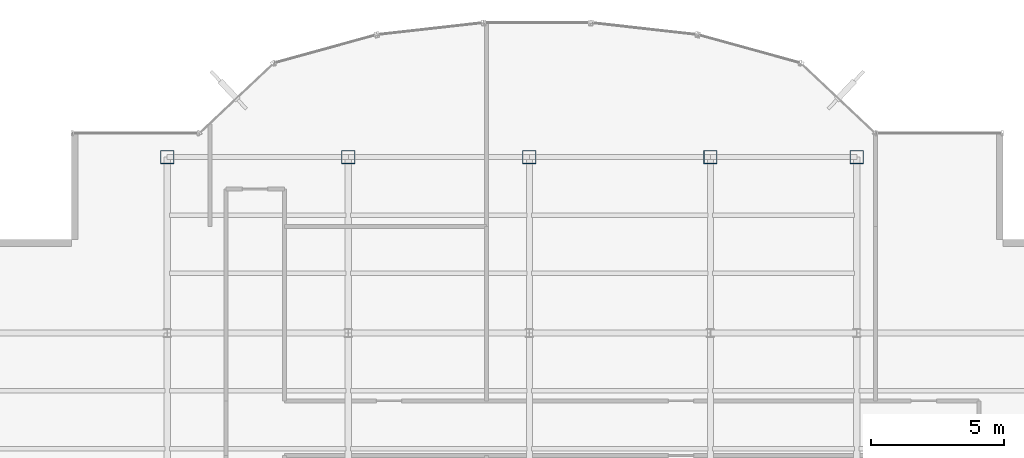
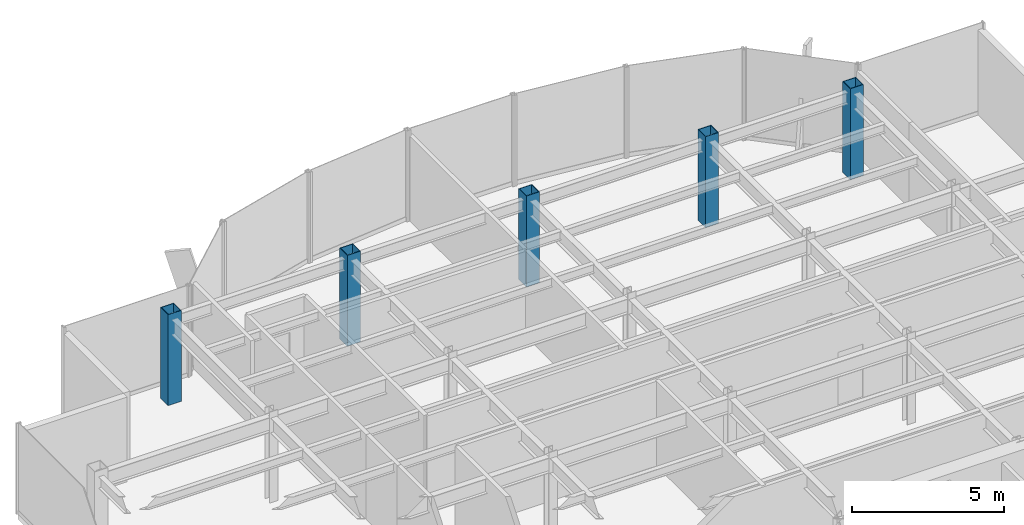
# One storey, part 2 of 22: 5 columns.
"""IFC4 building model written with IfcOpenShell, lengths in metres."""

from ifc_helpers import new_model, si_unit, derived_unit, direction, frame, origin, origin_2d, place, context, subcontext, project, spatial, hollow_rectangle, extrude, source, transform, mapped, material, material_profile, profile_set, type_object, element, save


model = new_model("IFC4")

# Units and contexts
model_context = context("Model", 3, precision=1e-05, world=origin(), true_north=direction((0.0, 1.0)))
body_context = subcontext(model_context, "Body", "Model", "MODEL_VIEW")
ifc_project = project(units=[si_unit("LENGTHUNIT", "METRE"), si_unit("AREAUNIT", "SQUARE_METRE"), si_unit("VOLUMEUNIT", "CUBIC_METRE"), si_unit("PLANEANGLEUNIT", "RADIAN"), si_unit("MASSUNIT", "GRAM", prefix="KILO"), derived_unit("THERMALTRANSMITTANCEUNIT", [(si_unit("POWERUNIT", "WATT"), 1), (si_unit("LENGTHUNIT", "METRE"), -2), (si_unit("THERMODYNAMICTEMPERATUREUNIT", "KELVIN"), -1)])], contexts=[model_context])

# Site, building, storey
site_placement = place(None, origin())
site = spatial("IfcSite", under=ifc_project, at=site_placement, CompositionType="ELEMENT")
building_placement = place(site_placement, origin())
building = spatial("IfcBuilding", under=site, at=building_placement, Name="Skarnbrae Concourse Arena and Tower", CompositionType="ELEMENT")
storey_placement = place(building_placement, frame((0.0, 0.0, 210.5)))
storey = spatial("IfcBuildingStorey", under=building, at=storey_placement, Name="L54", CompositionType="ELEMENT", Elevation=210.5)

# Columns
ifc_material = material(Name="Steel CSA G40.21 350W", Category="steel")
ifc_material_profile = material_profile(ifc_material, hollow_rectangle(XDim=0.5, YDim=0.5, WallThickness=0.02197265625, at=origin_2d()), Name="HSS500X500X22.0")
ifc_profile_set = profile_set([ifc_material_profile], Name="Steel CSA G40.21 350W")
column_type = type_object("IfcColumnType", Name="COL-TUBE-HSS500", PredefinedType="COLUMN", material=ifc_profile_set)
shared_shape = source(origin(), body_context, "Body", "SweptSolid", [
    extrude(hollow_rectangle(XDim=0.5, YDim=0.5, WallThickness=0.02197265625, at=origin_2d()), origin(), (0.0, 0.0, 1.0), 3.64990234375),
])
for number, where, z_axis, x_axis, name in (
    (1, (7.60009765625, 34.39990234375, 0.0), (0.0, 0.0, 1.0), (1.0, 0.0, 0.0), "L54 Tower column PC_02_05"),
    (2, (14.39990234375, 34.39990234375, 0.0), (0.0, 0.0, 1.0), (1.0, 0.0, 0.0), "L54 Tower column PC_03_05"),
    (3, (21.199951171875, 34.39990234375, 0.0), (0.0, 0.0, 1.0), (1.0, 0.0, 0.0), "L54 Tower column PC_04_05"),
    (4, (28.0, 34.39990234375, 0.0), (0.0, 0.0, 1.0), (1.0, 0.0, 0.0), "L54 Tower column PC_05_05"),
    (5, (33.5, 34.39990234375, 0.0), (0.0, 0.0, 1.0), (1.0, 0.0, 0.0), "L54 Tower column PC_06_05"),
):
    element("IfcColumn", number, at=place(storey_placement, frame(where, z_axis=z_axis, x_axis=x_axis)), inside=storey, type_object=column_type, Name=name, PredefinedType="COLUMN", context=body_context, shape_type="MappedRepresentation", body=[
        mapped(shared_shape, transform((0.0, 0.0, 0.0))),
    ])

save(model, "model.ifc")
